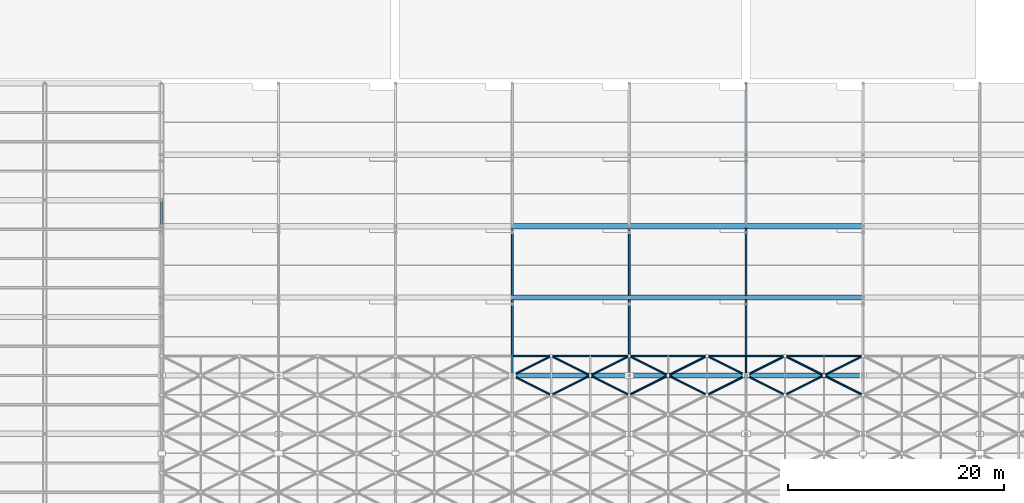
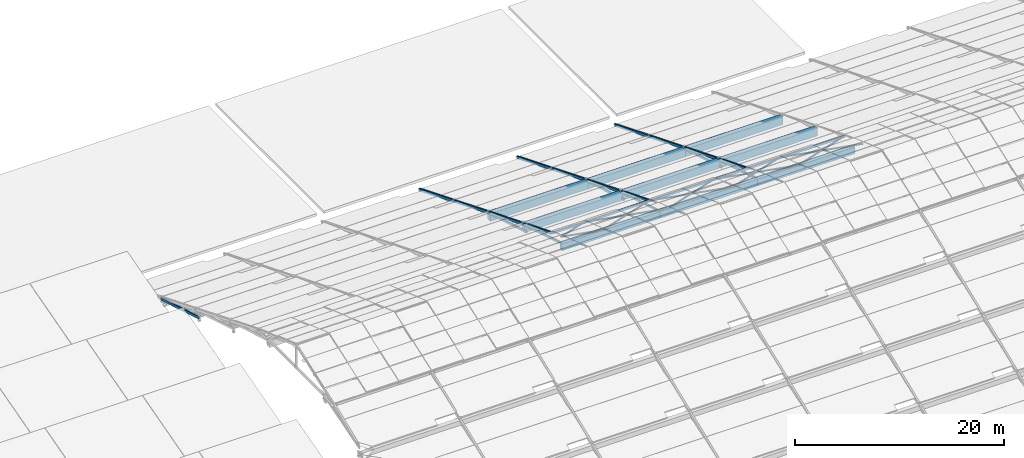
# One storey, part 46 of 112: 31 members, 9 beams.
"""IFC4 building model written with IfcOpenShell, lengths in metres."""

from ifc_helpers import new_model, si_unit, direction, frame, origin, origin_2d, place, context, subcontext, project, spatial, rectangle, hollow_rectangle, hollow_circle, extrude, material, material_profile, profile_set, type_object, element, save


model = new_model("IFC4")

# Units and contexts
model_context = context("Model", 3, precision=1e-05, world=origin(), true_north=direction((0.0, 1.0)))
body_context = subcontext(model_context, "Body", "Model", "MODEL_VIEW")
ifc_project = project(units=[si_unit("LENGTHUNIT", "METRE"), si_unit("AREAUNIT", "SQUARE_METRE"), si_unit("VOLUMEUNIT", "CUBIC_METRE"), si_unit("PLANEANGLEUNIT", "RADIAN"), si_unit("MASSUNIT", "GRAM", prefix="KILO")], contexts=[model_context])

# Site, building, storey
site_placement = place(None, origin())
site = spatial("IfcSite", under=ifc_project, at=site_placement, CompositionType="ELEMENT")
building_placement = place(site_placement, origin())
building = spatial("IfcBuilding", under=site, at=building_placement, Name="Zwinboog Wholesale Market", CompositionType="ELEMENT")
storey_placement = place(building_placement, frame((0.0, 0.0, 19.080078125)))
storey = spatial("IfcBuildingStorey", under=building, at=storey_placement, Name="Roof", CompositionType="ELEMENT", Elevation=19.080078125)

# Beams
ifc_material_1 = material(Name="Precast concrete C45/55", Category="concrete")
ifc_material_profile_1 = material_profile(ifc_material_1, rectangle(XDim=0.5, YDim=0.89990234375, at=origin_2d()), Name="PC 500x900")
ifc_profile_set_1 = profile_set([ifc_material_profile_1], Name="Precast concrete C45/55")
beam_type_1 = type_object("IfcBeamType", Name="BT-06", PredefinedType="BEAM", material=ifc_profile_set_1)
for number, where, z_axis, x_axis, name in (
    (1, (97.199951171875, 94.800048828125, -4.716064453125), (1.0, 0.0, 0.0), (0.0, 1.0, 0.0), "EB-01 (BMG-Roof-0972-0948-1090)"),
    (2, (97.199951171875, 88.199951171875, -2.031982421875), (1.0, 0.0, 0.0), (0.0, 1.0, 0.0), "EB-01 (BMG-Roof-0972-0882-1091)"),
    (3, (108.0, 94.800048828125, -4.716064453125), (1.0, 0.0, 0.0), (0.0, 1.0, 0.0), "EB-01 (BMG-Roof-1080-0948-1099)"),
    (4, (108.0, 88.199951171875, -2.031982421875), (1.0, 0.0, 0.0), (0.0, 1.0, 0.0), "EB-01 (BMG-Roof-1080-0882-1100)"),
    (5, (118.800048828125, 94.800048828125, -4.716064453125), (1.0, 0.0, 0.0), (0.0, 1.0, 0.0), "EB-01 (BMG-Roof-1188-0948-1108)"),
    (6, (118.800048828125, 88.199951171875, -2.031982421875), (1.0, 0.0, 0.0), (0.0, 1.0, 0.0), "EB-01 (BMG-Roof-1188-0882-1109)"),
):
    element("IfcBeam", number, at=place(storey_placement, frame(where, z_axis=z_axis, x_axis=x_axis)), inside=storey, type_object=beam_type_1, Name=name, PredefinedType="BEAM", context=body_context, shape_type="SweptSolid", body=[
        extrude(rectangle(XDim=0.5, YDim=0.89990234375, at=origin_2d()), origin(), (0.0, 0.0, 1.0), 10.800048828125),
    ])
ifc_material_profile_2 = material_profile(ifc_material_1, rectangle(XDim=0.449951171875, YDim=0.800048828125, at=origin_2d()), Name="PC 450x800")
ifc_profile_set_2 = profile_set([ifc_material_profile_2], Name="Precast concrete C45/55")
beam_type_2 = type_object("IfcBeamType", Name="BT-07", PredefinedType="BEAM", material=ifc_profile_set_2)
for number, where, z_axis, x_axis, name in (
    (7, (97.199951171875, 81.0, 0.16796875), (1.0, 0.0, 0.0), (0.0, 1.0, 0.0), "EB-02 (BMG-Roof-0972-0810-1092)"),
    (8, (108.0, 81.0, 0.16796875), (1.0, 0.0, 0.0), (0.0, 1.0, 0.0), "EB-02 (BMG-Roof-1080-0810-1101)"),
    (9, (118.800048828125, 81.0, 0.16796875), (1.0, 0.0, 0.0), (0.0, 1.0, 0.0), "EB-02 (BMG-Roof-1188-0810-1110)"),
):
    element("IfcBeam", number, at=place(storey_placement, frame(where, z_axis=z_axis, x_axis=x_axis)), inside=storey, type_object=beam_type_2, Name=name, PredefinedType="BEAM", context=body_context, shape_type="SweptSolid", body=[
        extrude(rectangle(XDim=0.449951171875, YDim=0.800048828125, at=origin_2d()), origin(), (0.0, 0.0, 1.0), 10.800048828125),
    ])

# Members
ifc_material_2 = material(Name="Steel S355", Category="steel")
ifc_material_profile_3 = material_profile(ifc_material_2, hollow_rectangle(XDim=0.199951171875, YDim=0.300048828125, WallThickness=0.012451171875, InnerFilletRadius=0.012451171875, OuterFilletRadius=0.02490234375, at=origin_2d()), Name="RHS 300x200x12.5")
ifc_profile_set_3 = profile_set([ifc_material_profile_3], Name="Steel S355")
member_type_1 = type_object("IfcMemberType", Name="MT-01", PredefinedType="CHORD", material=ifc_profile_set_3)
member_placement = place(storey_placement, frame((64.800048828125, 101.39990234375, -7.0), z_axis=(0.0, -0.958194819429, 0.286116563694), x_axis=(1.0, 0.0, 0.0)))
element("IfcMember", 10, at=member_placement, inside=storey, type_object=member_type_1, Name="DC-01 (MEM-Roof-0020)", PredefinedType="CHORD", context=body_context, shape_type="SweptSolid", body=[
    extrude(hollow_rectangle(XDim=0.199951171875, YDim=0.300048828125, WallThickness=0.012451171875, InnerFilletRadius=0.012451171875, OuterFilletRadius=0.02490234375, at=origin_2d()), origin(), (0.0, 0.0, 1.0), 7.51416015625),
])
for number, where, z_axis, x_axis, name in (
    (11, (97.199951171875, 108.0, -9.580078125), (0.0, -0.926947185036, 0.375191839135), (1.0, 0.0, 0.0), "DC-01 (MEM-Roof-0104)"),
    (12, (108.0, 108.0, -9.580078125), (0.0, -0.926947185036, 0.375191839135), (1.0, 0.0, 0.0), "DC-01 (MEM-Roof-0134)"),
    (13, (118.800048828125, 108.0, -9.580078125), (0.0, -0.926947185036, 0.375191839135), (1.0, 0.0, 0.0), "DC-01 (MEM-Roof-0164)"),
):
    element("IfcMember", number, at=place(storey_placement, frame(where, z_axis=z_axis, x_axis=x_axis)), inside=storey, type_object=member_type_1, Name=name, PredefinedType="CHORD", context=body_context, shape_type="SweptSolid", body=[
        extrude(hollow_rectangle(XDim=0.199951171875, YDim=0.300048828125, WallThickness=0.012451171875, InnerFilletRadius=0.012451171875, OuterFilletRadius=0.02490234375, at=origin_2d()), origin(), (0.0, 0.0, 1.0), 27.18603515625),
    ])
ifc_material_profile_4 = material_profile(ifc_material_2, hollow_rectangle(XDim=0.14990234375, YDim=0.25, WallThickness=0.010009765625, InnerFilletRadius=0.010009765625, OuterFilletRadius=0.02001953125, at=origin_2d()), Name="RHS 250x150x10")
ifc_profile_set_4 = profile_set([ifc_material_profile_4], Name="Steel S355")
member_type_2 = type_object("IfcMemberType", Name="MT-02", PredefinedType="CHORD", material=ifc_profile_set_4)
for number, where, z_axis, x_axis, name in (
    (14, (97.199951171875, 94.800048828125, -4.300048828125), (0.0, -0.958194819429, 0.286116563694), (1.0, 0.0, 0.0), "DC-02 (MEM-Roof-0113)"),
    (15, (97.199951171875, 88.199951171875, -1.60009765625), (0.0, -0.958194819429, 0.286116563694), (1.0, 0.0, 0.0), "DC-02 (MEM-Roof-0116)"),
    (16, (108.0, 94.800048828125, -4.300048828125), (0.0, -0.958194819429, 0.286116563694), (1.0, 0.0, 0.0), "DC-02 (MEM-Roof-0143)"),
    (17, (108.0, 88.199951171875, -1.60009765625), (0.0, -0.958194819429, 0.286116563694), (1.0, 0.0, 0.0), "DC-02 (MEM-Roof-0146)"),
    (18, (118.800048828125, 94.800048828125, -4.300048828125), (0.0, -0.958194819429, 0.286116563694), (1.0, 0.0, 0.0), "DC-02 (MEM-Roof-0173)"),
    (19, (118.800048828125, 88.199951171875, -1.60009765625), (0.0, -0.958194819429, 0.286116563694), (1.0, 0.0, 0.0), "DC-02 (MEM-Roof-0176)"),
):
    element("IfcMember", number, at=place(storey_placement, frame(where, z_axis=z_axis, x_axis=x_axis)), inside=storey, type_object=member_type_2, Name=name, PredefinedType="CHORD", context=body_context, shape_type="SweptSolid", body=[
        extrude(hollow_rectangle(XDim=0.14990234375, YDim=0.25, WallThickness=0.010009765625, InnerFilletRadius=0.010009765625, OuterFilletRadius=0.02001953125, at=origin_2d()), origin(), (0.0, 0.0, 1.0), 7.51416015625),
    ])
for number, where, z_axis, x_axis, name in (
    (20, (97.199951171875, 82.800048828125, 0.58984375), (1.0, 0.0, 0.0), (0.0, 1.0, 0.0), "DC-02 (MEM-Roof-0342)"),
    (21, (108.0, 82.800048828125, 0.58984375), (1.0, 0.0, 0.0), (0.0, 1.0, 0.0), "DC-02 (MEM-Roof-0345)"),
    (22, (118.800048828125, 82.800048828125, 0.58984375), (1.0, 0.0, 0.0), (0.0, 1.0, 0.0), "DC-02 (MEM-Roof-0348)"),
):
    element("IfcMember", number, at=place(storey_placement, frame(where, z_axis=z_axis, x_axis=x_axis)), inside=storey, type_object=member_type_2, Name=name, PredefinedType="CHORD", context=body_context, shape_type="SweptSolid", body=[
        extrude(hollow_rectangle(XDim=0.14990234375, YDim=0.25, WallThickness=0.010009765625, InnerFilletRadius=0.010009765625, OuterFilletRadius=0.02001953125, at=origin_2d()), origin(), (0.0, 0.0, 1.0), 10.800048828125),
    ])
ifc_material_profile_5 = material_profile(ifc_material_2, hollow_circle(Radius=0.096923828125, WallThickness=0.010009765625, at=origin_2d()), Name="CHS 193.7x10")
ifc_profile_set_5 = profile_set([ifc_material_profile_5], Name="Steel S355")
member_type_3 = type_object("IfcMemberType", Name="MT-06", PredefinedType="BRACE", material=ifc_profile_set_5)
for number, where, z_axis, x_axis, name in (
    (23, (97.199951171875, 81.0, 1.267333984375), (0.883408764097, -0.441704382048, 0.156480651826), (0.4472135955, 0.894427191, 0.0), "DB-03 (MEM-Roof-0459)"),
    (24, (97.199951171875, 81.0, 1.267333984375), (0.883417044144, 0.441708522072, -0.156422209566), (-0.4472135955, 0.894427191, 0.0), "DB-03 (MEM-Roof-0460)"),
):
    element("IfcMember", number, at=place(storey_placement, frame(where, z_axis=z_axis, x_axis=x_axis)), inside=storey, type_object=member_type_3, Name=name, PredefinedType="BRACE", context=body_context, shape_type="SweptSolid", body=[
        extrude(hollow_circle(Radius=0.096923828125, WallThickness=0.010009765625, at=origin_2d()), origin(), (0.0, 0.0, 1.0), 4.0751953125),
    ])
for number, where, z_axis, x_axis, name in (
    (25, (100.800048828125, 79.199951171875, 1.905029296875), (0.883395607837, 0.441727759687, -0.156488933718), (-0.447237858884, 0.894415058897, 0.0), "DB-03 (MEM-Roof-0469)"),
    (26, (100.800048828125, 82.800048828125, 0.6298828125), (0.883403888637, -0.441731900368, 0.15643048852), (0.447237858884, 0.894415058897, 0.0), "DB-03 (MEM-Roof-0470)"),
):
    element("IfcMember", number, at=place(storey_placement, frame(where, z_axis=z_axis, x_axis=x_axis)), inside=storey, type_object=member_type_3, Name=name, PredefinedType="BRACE", context=body_context, shape_type="SweptSolid", body=[
        extrude(hollow_circle(Radius=0.096923828125, WallThickness=0.010009765625, at=origin_2d()), origin(), (0.0, 0.0, 1.0), 4.074951171875),
    ])
for number, where, z_axis, x_axis, name in (
    (27, (104.39990234375, 81.0, 1.267333984375), (0.883408764097, -0.441704382048, 0.156480651826), (0.4472135955, 0.894427191, 0.0), "DB-03 (MEM-Roof-0479)"),
    (28, (104.39990234375, 81.0, 1.267333984375), (0.883417044144, 0.441708522072, -0.156422209566), (-0.4472135955, 0.894427191, 0.0), "DB-03 (MEM-Roof-0480)"),
    (29, (108.0, 79.199951171875, 1.905029296875), (0.883408764097, 0.441704382048, -0.156480651826), (-0.4472135955, 0.894427191, 0.0), "DB-03 (MEM-Roof-0489)"),
    (30, (108.0, 82.800048828125, 0.6298828125), (0.883417044144, -0.441708522072, 0.156422209566), (0.4472135955, 0.894427191, 0.0), "DB-03 (MEM-Roof-0490)"),
):
    element("IfcMember", number, at=place(storey_placement, frame(where, z_axis=z_axis, x_axis=x_axis)), inside=storey, type_object=member_type_3, Name=name, PredefinedType="BRACE", context=body_context, shape_type="SweptSolid", body=[
        extrude(hollow_circle(Radius=0.096923828125, WallThickness=0.010009765625, at=origin_2d()), origin(), (0.0, 0.0, 1.0), 4.0751953125),
    ])
for number, where, z_axis, x_axis, name in (
    (31, (111.60009765625, 81.0, 1.267333984375), (0.883395607837, -0.441727759687, 0.156488933718), (0.447237858884, 0.894415058897, 0.0), "DB-03 (MEM-Roof-0499)"),
    (32, (111.60009765625, 81.0, 1.267333984375), (0.883403888637, 0.441731900368, -0.15643048852), (-0.447237858884, 0.894415058897, 0.0), "DB-03 (MEM-Roof-0500)"),
):
    element("IfcMember", number, at=place(storey_placement, frame(where, z_axis=z_axis, x_axis=x_axis)), inside=storey, type_object=member_type_3, Name=name, PredefinedType="BRACE", context=body_context, shape_type="SweptSolid", body=[
        extrude(hollow_circle(Radius=0.096923828125, WallThickness=0.010009765625, at=origin_2d()), origin(), (0.0, 0.0, 1.0), 4.074951171875),
    ])
for number, where, z_axis, x_axis, name in (
    (33, (115.199951171875, 79.199951171875, 1.905029296875), (0.883408764097, 0.441704382048, -0.156480651826), (-0.4472135955, 0.894427191, 0.0), "DB-03 (MEM-Roof-0509)"),
    (34, (115.199951171875, 82.800048828125, 0.6298828125), (0.883417044144, -0.441708522072, 0.156422209566), (0.4472135955, 0.894427191, 0.0), "DB-03 (MEM-Roof-0510)"),
):
    element("IfcMember", number, at=place(storey_placement, frame(where, z_axis=z_axis, x_axis=x_axis)), inside=storey, type_object=member_type_3, Name=name, PredefinedType="BRACE", context=body_context, shape_type="SweptSolid", body=[
        extrude(hollow_circle(Radius=0.096923828125, WallThickness=0.010009765625, at=origin_2d()), origin(), (0.0, 0.0, 1.0), 4.0751953125),
    ])
for number, where, z_axis, x_axis, name in (
    (35, (118.800048828125, 81.0, 1.267333984375), (0.883395607837, -0.441727759687, 0.156488933718), (0.447237858884, 0.894415058897, 0.0), "DB-03 (MEM-Roof-0519)"),
    (36, (118.800048828125, 81.0, 1.267333984375), (0.883403888637, 0.441731900368, -0.15643048852), (-0.447237858884, 0.894415058897, 0.0), "DB-03 (MEM-Roof-0520)"),
):
    element("IfcMember", number, at=place(storey_placement, frame(where, z_axis=z_axis, x_axis=x_axis)), inside=storey, type_object=member_type_3, Name=name, PredefinedType="BRACE", context=body_context, shape_type="SweptSolid", body=[
        extrude(hollow_circle(Radius=0.096923828125, WallThickness=0.010009765625, at=origin_2d()), origin(), (0.0, 0.0, 1.0), 4.074951171875),
    ])
for number, where, z_axis, x_axis, name in (
    (37, (122.39990234375, 79.199951171875, 1.905029296875), (0.883408764097, 0.441704382048, -0.156480651826), (-0.4472135955, 0.894427191, 0.0), "DB-03 (MEM-Roof-0529)"),
    (38, (122.39990234375, 82.800048828125, 0.6298828125), (0.883417044144, -0.441708522072, 0.156422209566), (0.4472135955, 0.894427191, 0.0), "DB-03 (MEM-Roof-0530)"),
    (39, (126.0, 81.0, 1.267333984375), (0.883408764097, -0.441704382048, 0.156480651826), (0.4472135955, 0.894427191, 0.0), "DB-03 (MEM-Roof-0539)"),
    (40, (126.0, 81.0, 1.267333984375), (0.883417044144, 0.441708522072, -0.156422209566), (-0.4472135955, 0.894427191, 0.0), "DB-03 (MEM-Roof-0540)"),
):
    element("IfcMember", number, at=place(storey_placement, frame(where, z_axis=z_axis, x_axis=x_axis)), inside=storey, type_object=member_type_3, Name=name, PredefinedType="BRACE", context=body_context, shape_type="SweptSolid", body=[
        extrude(hollow_circle(Radius=0.096923828125, WallThickness=0.010009765625, at=origin_2d()), origin(), (0.0, 0.0, 1.0), 4.0751953125),
    ])

save(model, "model.ifc")
